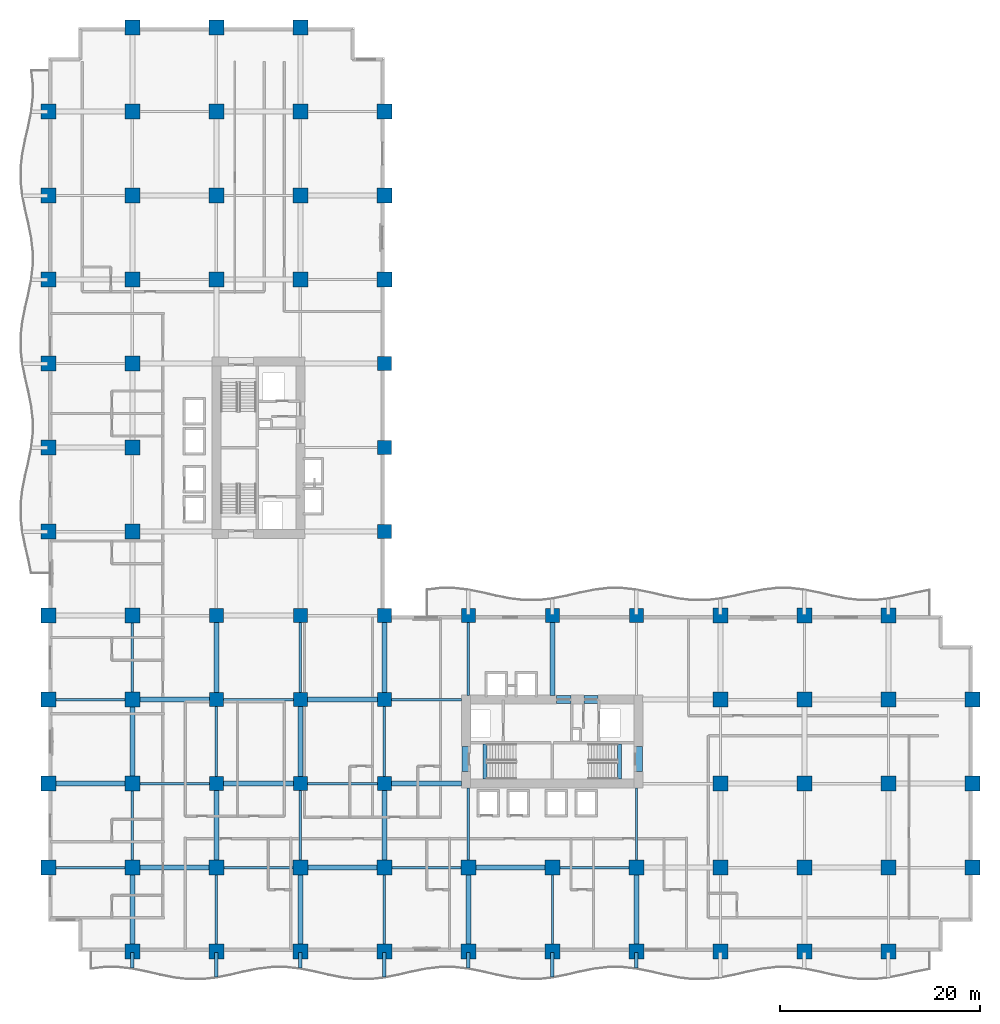
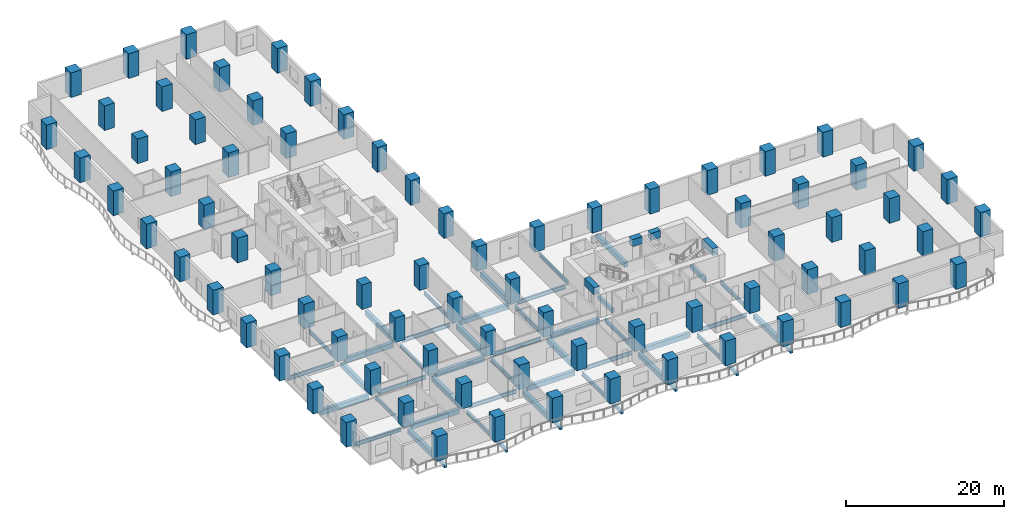
# One storey, part 1 of 20: 78 columns, 53 beams.
"""IFC4 building model written with IfcOpenShell, lengths in metres."""

import ifcopenshell
import ifcopenshell.guid

model = None  # the IFC model being written
_history = None  # IfcOwnerHistory: only IFC2X3 demands one
_inside = {}  # id of a spatial element -> (the spatial element, [elements in it])
_under = {}  # id of a project, library or spatial element -> (it, [spatial elements below it])
_declared = {}  # id of a project -> (the project, [libraries it declares])
_typed = {}  # id of a type object -> (the type object, [elements of that type])
_made_of = {}  # id of a material, layer set ... -> (it, [elements and type objects made of it])


def new_model(schema):
    """Start an empty IFC model of exactly this schema.

    Asked for "IFC4X3", IfcOpenShell would pick the latest addendum, in which some entities
    have other attributes; the version numbers below select the first issue.
    IFC2X3 requires an IfcOwnerHistory on every rooted entity: one is made here for all.
    """
    global model, _history
    if schema == "IFC4X3":
        model = ifcopenshell.file(schema_version=(4, 3, 0, 0))
    else:
        model = ifcopenshell.file(schema=schema)
    _inside.clear()
    _under.clear()
    _declared.clear()
    _typed.clear()
    _made_of.clear()
    _history = None
    if model.schema == "IFC2X3":
        org = make("IfcOrganization", Name="unknown")
        user = make(
            "IfcPersonAndOrganization",
            ThePerson=make("IfcPerson", FamilyName="unknown"),
            TheOrganization=org,
        )
        app = make(
            "IfcApplication",
            ApplicationDeveloper=org,
            Version="unknown",
            ApplicationFullName="unknown",
            ApplicationIdentifier="unknown",
        )
        _history = make(
            "IfcOwnerHistory",
            OwningUser=user,
            OwningApplication=app,
            ChangeAction="ADDED",
            CreationDate=0,
        )
    return model


def make(cls, **values):
    """One entity of the class cls with the attributes given. An attribute that is None is left unset."""
    return model.create_entity(
        cls, **{name: value for name, value in values.items() if value is not None}
    )


def rooted(cls, **values):
    """An entity with a GlobalId (a new one), such as an element, a storey or a relation."""
    return make(cls, GlobalId=ifcopenshell.guid.new(), OwnerHistory=_history, **values)


def si_unit(unit_type, name, prefix=None):
    """IfcSIUnit, for example si_unit("LENGTHUNIT", "METRE", prefix="MILLI")."""
    return make("IfcSIUnit", UnitType=unit_type, Prefix=prefix, Name=name)


def assignment(units):
    """IfcUnitAssignment: the units of a project."""
    return None if units is None else make("IfcUnitAssignment", Units=units)


def point(xyz):
    """IfcCartesianPoint."""
    return None if xyz is None else make("IfcCartesianPoint", Coordinates=xyz)


def direction(xyz):
    """IfcDirection."""
    return None if xyz is None else make("IfcDirection", DirectionRatios=xyz)


def frame(location, z_axis=None, x_axis=None):
    """IfcAxis2Placement3D, a coordinate frame: its origin and axes. An axis left out is left unset."""
    return make(
        "IfcAxis2Placement3D",
        Location=point(location),
        Axis=direction(z_axis),
        RefDirection=direction(x_axis),
    )


def frame_2d(location, x_axis=None):
    """IfcAxis2Placement2D, a coordinate frame in the plane: its origin and x axis."""
    return make(
        "IfcAxis2Placement2D", Location=point(location), RefDirection=direction(x_axis)
    )


def origin():
    """The frame at (0, 0, 0) with its axes left unset."""
    return frame((0.0, 0.0, 0.0))


def origin_2d():
    """The frame at (0, 0) in the plane with its x axis left unset."""
    return frame_2d((0.0, 0.0))


def place(relative_to, where):
    """IfcLocalPlacement: puts the frame where relative to a parent placement (None: the world)."""
    return make(
        "IfcLocalPlacement", PlacementRelTo=relative_to, RelativePlacement=where
    )


def context(
    kind, dimensions, precision=None, world=None, true_north=None, identifier=None
):
    """IfcGeometricRepresentationContext, for example the 3D "Model" context."""
    return make(
        "IfcGeometricRepresentationContext",
        ContextIdentifier=identifier,
        ContextType=kind,
        CoordinateSpaceDimension=dimensions,
        Precision=precision,
        WorldCoordinateSystem=world,
        TrueNorth=true_north,
    )


def subcontext(parent, identifier, kind, view, scale=None):
    """IfcGeometricRepresentationSubContext, for example "Body" below "Model"."""
    return make(
        "IfcGeometricRepresentationSubContext",
        ContextIdentifier=identifier,
        ContextType=kind,
        ParentContext=parent,
        TargetScale=scale,
        TargetView=view,
    )


def project(units=None, contexts=None):
    """IfcProject with its units and contexts."""
    return rooted(
        "IfcProject",
        Name="project",
        RepresentationContexts=contexts,
        UnitsInContext=assignment(units),
    )


def spatial(cls, under=None, at=None, **own):
    """A site, building, storey or space (cls), placed at a placement, below another one or the project."""
    s = rooted(cls, ObjectPlacement=at, **own)
    if under is not None:
        _under.setdefault(under.id(), (under, []))[1].append(s)
    return s


def profile(cls, at=None, kind="AREA", **sizes):
    """A parametric profile (cls). Its sizes go by their IFC names, for example OverallWidth=200.0."""
    return make(cls, ProfileType=kind, Position=at, **sizes)


def rectangle(**sizes):
    """IfcRectangleProfileDef."""
    return profile("IfcRectangleProfileDef", **sizes)


def i_section(**sizes):
    """IfcIShapeProfileDef."""
    return profile("IfcIShapeProfileDef", **sizes)


def extrude(swept, where, along, depth):
    """IfcExtrudedAreaSolid: the profile swept, set in the frame where, extruded along a direction by depth."""
    return make(
        "IfcExtrudedAreaSolid",
        SweptArea=swept,
        Position=where,
        ExtrudedDirection=direction(along),
        Depth=depth,
    )


def shape(context_of_items, identifier, shape_type, items):
    """IfcShapeRepresentation: the items that make up one representation, for example the "Body"."""
    return make(
        "IfcShapeRepresentation",
        ContextOfItems=context_of_items,
        RepresentationIdentifier=identifier,
        RepresentationType=shape_type,
        Items=items,
    )


def material(Name=None, Category=None):
    """IfcMaterial."""
    return make("IfcMaterial", Name=Name, Category=Category)


def material_profile(
    of_material, cross_section, Name=None, Category=None, Priority=None
):
    """IfcMaterialProfile: a cross section and its material."""
    return make(
        "IfcMaterialProfile",
        Name=Name,
        Material=of_material,
        Profile=cross_section,
        Priority=Priority,
        Category=Category,
    )


def profile_set(profiles, Name=None, composite=None):
    """IfcMaterialProfileSet."""
    return make(
        "IfcMaterialProfileSet",
        Name=Name,
        MaterialProfiles=profiles,
        CompositeProfile=composite,
    )


def made_of(thing, what):
    """Note that an element or type object is made of a material, layer set ...; save() writes the relation."""
    if what is not None:
        _made_of.setdefault(what.id(), (what, []))[1].append(thing)
    return thing


def type_object(cls, material=None, **own):
    """A type object (cls), such as IfcWallType, which elements share."""
    return made_of(rooted(cls, **own), material)


def element(
    cls,
    number,
    at=None,
    inside=None,
    cuts=None,
    type_object=None,
    material=None,
    context=None,
    identifier="Body",
    shape_type=None,
    held_by="IfcProductDefinitionShape",
    body=None,
    shapes=None,
    **own,
):
    """One element of the class cls, such as IfcWall. Its Tag is "e" and its number.

    at: its placement. inside: the storey or other place that contains it. cuts: it is an
    opening in that element (IfcRelVoidsElement). A single representation is given by context,
    identifier, shape_type and body (its items); several are given by shapes. held_by: the class
    of the entity that holds the representations. save() writes the other relations.
    """
    e = rooted(cls, Tag="e%d" % number, ObjectPlacement=at, **own)
    if body is not None:
        shapes = [shape(context, identifier, shape_type, body)]
    if shapes is not None:
        e.Representation = make(held_by, Representations=shapes)
    if inside is not None:
        _inside.setdefault(inside.id(), (inside, []))[1].append(e)
    if cuts is not None:
        rooted(
            "IfcRelVoidsElement", RelatingBuildingElement=cuts, RelatedOpeningElement=e
        )
    if type_object is not None:
        _typed.setdefault(type_object.id(), (type_object, []))[1].append(e)
    return made_of(e, material)


def aggregate(whole, parts):
    """IfcRelAggregates: a whole, such as a stair, and the parts it consists of."""
    return rooted("IfcRelAggregates", RelatingObject=whole, RelatedObjects=parts)


def save(model, path):
    """Write the relations noted so far, then the file.

    IfcRelAggregates (storeys below a building ...), IfcRelContainedInSpatialStructure (elements
    in a storey), IfcRelDefinesByType, IfcRelAssociatesMaterial and IfcRelDeclares: one each for
    every whole, place, type object, material and project.
    """
    for whole, parts in _under.values():
        aggregate(whole, parts)
    for where, things in _inside.values():
        rooted(
            "IfcRelContainedInSpatialStructure",
            RelatedElements=things,
            RelatingStructure=where,
        )
    for kind, things in _typed.values():
        rooted("IfcRelDefinesByType", RelatedObjects=things, RelatingType=kind)
    for what, things in _made_of.values():
        rooted("IfcRelAssociatesMaterial", RelatedObjects=things, RelatingMaterial=what)
    for by, libraries in _declared.values():
        rooted("IfcRelDeclares", RelatingContext=by, RelatedDefinitions=libraries)
    model.write(path)


model = new_model("IFC4")

# Units and contexts
model_context = context("Model", 3, precision=1e-05, world=origin(), true_north=direction((0.0, 1.0)))
body_context = subcontext(model_context, "Body", "Model", "MODEL_VIEW")
ifc_project = project(units=[si_unit("LENGTHUNIT", "METRE"), si_unit("AREAUNIT", "SQUARE_METRE"), si_unit("VOLUMEUNIT", "CUBIC_METRE"), si_unit("PLANEANGLEUNIT", "RADIAN"), si_unit("MASSUNIT", "GRAM", prefix="KILO")], contexts=[model_context])

# Site, building, storey
site_placement = place(None, origin())
site = spatial("IfcSite", under=ifc_project, at=site_placement, CompositionType="ELEMENT")
building_placement = place(site_placement, origin())
building = spatial("IfcBuilding", under=site, at=building_placement, Name="Koriwani Terraces Tower", CompositionType="ELEMENT")
storey_placement = place(building_placement, frame((0.0, 0.0, 66.199951171875)))
storey = spatial("IfcBuildingStorey", under=building, at=storey_placement, Name="L15", CompositionType="ELEMENT", Elevation=66.199951171875)

# Columns
ifc_material_1 = material(Name="Concrete C60/75", Category="concrete")
ifc_material_profile_1 = material_profile(ifc_material_1, rectangle(XDim=1.39990234375, YDim=1.39990234375, at=origin_2d()), Name="Concrete C60/75", Category="LoadBearing")
ifc_profile_set_1 = profile_set([ifc_material_profile_1], Name="Concrete C60/75")
column_type_1 = type_object("IfcColumnType", Name="COL_RC_1400X1400", PredefinedType="COLUMN", material=ifc_profile_set_1)
for number, where, z_axis, x_axis, name in (
    (1, (16.800048828125, 16.800048828125, 0.0), (0.0, 0.0, 1.0), (1.0, 0.0, 0.0), "L15 Column 3/C"),
    (2, (16.800048828125, 25.199951171875, 0.0), (0.0, 0.0, 1.0), (1.0, 0.0, 0.0), "L15 Column 3/D"),
    (3, (16.800048828125, 33.60009765625, 0.0), (0.0, 0.0, 1.0), (1.0, 0.0, 0.0), "L15 Column 3/E"),
    (4, (25.199951171875, 16.800048828125, 0.0), (0.0, 0.0, 1.0), (1.0, 0.0, 0.0), "L15 Column 4/C"),
    (5, (25.199951171875, 25.199951171875, 0.0), (0.0, 0.0, 1.0), (1.0, 0.0, 0.0), "L15 Column 4/D"),
    (6, (25.199951171875, 33.60009765625, 0.0), (0.0, 0.0, 1.0), (1.0, 0.0, 0.0), "L15 Column 4/E"),
    (7, (33.60009765625, 16.800048828125, 0.0), (0.0, 0.0, 1.0), (1.0, 0.0, 0.0), "L15 Column 5/C"),
    (8, (33.60009765625, 25.199951171875, 0.0), (0.0, 0.0, 1.0), (1.0, 0.0, 0.0), "L15 Column 5/D"),
    (9, (33.60009765625, 33.60009765625, 0.0), (0.0, 0.0, 1.0), (1.0, 0.0, 0.0), "L15 Column 5/E"),
    (10, (33.60009765625, 42.0, 0.0), (0.0, 0.0, 1.0), (1.0, 0.0, 0.0), "L15 Column 5/F"),
    (11, (33.60009765625, 50.39990234375, 0.0), (0.0, 0.0, 1.0), (1.0, 0.0, 0.0), "L15 Column 5/G"),
    (12, (33.60009765625, 58.800048828125, 0.0), (0.0, 0.0, 1.0), (1.0, 0.0, 0.0), "L15 Column 5/H"),
    (13, (42.0, 33.60009765625, 0.0), (0.0, 0.0, 1.0), (1.0, 0.0, 0.0), "L15 Column 6/E"),
    (14, (50.39990234375, 33.60009765625, 0.0), (0.0, 0.0, 1.0), (1.0, 0.0, 0.0), "L15 Column 7/E"),
    (15, (58.800048828125, 33.60009765625, 0.0), (0.0, 0.0, 1.0), (1.0, 0.0, 0.0), "L15 Column 8/E"),
):
    element("IfcColumn", number, at=place(storey_placement, frame(where, z_axis=z_axis, x_axis=x_axis)), inside=storey, type_object=column_type_1, Name=name, PredefinedType="COLUMN", context=body_context, shape_type="SweptSolid", body=[
        extrude(rectangle(XDim=1.39990234375, YDim=1.39990234375, at=origin_2d()), origin(), (0.0, 0.0, 1.0), 3.800048828125),
    ])
ifc_material_profile_2 = material_profile(ifc_material_1, rectangle(XDim=1.5, YDim=1.5, at=origin_2d()), Name="Concrete C60/75", Category="LoadBearing")
ifc_profile_set_2 = profile_set([ifc_material_profile_2], Name="Concrete C60/75")
column_type_2 = type_object("IfcColumnType", Name="COL_RC_1500X1500", PredefinedType="COLUMN", material=ifc_profile_set_2)
for number, where, z_axis, x_axis, name in (
    (16, (0.0, 8.39990234375, 0.0), (0.0, 0.0, 1.0), (1.0, 0.0, 0.0), "L15 Column 1/B"),
    (17, (0.0, 16.800048828125, 0.0), (0.0, 0.0, 1.0), (1.0, 0.0, 0.0), "L15 Column 1/C"),
    (18, (0.0, 25.199951171875, 0.0), (0.0, 0.0, 1.0), (1.0, 0.0, 0.0), "L15 Column 1/D"),
    (19, (0.0, 33.60009765625, 0.0), (0.0, 0.0, 1.0), (1.0, 0.0, 0.0), "L15 Column 1/E"),
    (20, (0.0, 42.0, 0.0), (0.0, 0.0, 1.0), (1.0, 0.0, 0.0), "L15 Column 1/F"),
    (21, (0.0, 50.39990234375, 0.0), (0.0, 0.0, 1.0), (1.0, 0.0, 0.0), "L15 Column 1/G"),
    (22, (0.0, 58.800048828125, 0.0), (0.0, 0.0, 1.0), (1.0, 0.0, 0.0), "L15 Column 1/H"),
    (23, (0.0, 67.199951171875, 0.0), (0.0, 0.0, 1.0), (1.0, 0.0, 0.0), "L15 Column 1/I"),
    (24, (0.0, 75.60009765625, 0.0), (0.0, 0.0, 1.0), (1.0, 0.0, 0.0), "L15 Column 1/J"),
    (25, (0.0, 84.0, 0.0), (0.0, 0.0, 1.0), (1.0, 0.0, 0.0), "L15 Column 1/K"),
    (26, (8.39990234375, 0.0, 0.0), (0.0, 0.0, 1.0), (1.0, 0.0, 0.0), "L15 Column 2/A"),
    (27, (8.39990234375, 8.39990234375, 0.0), (0.0, 0.0, 1.0), (1.0, 0.0, 0.0), "L15 Column 2/B"),
    (28, (8.39990234375, 16.800048828125, 0.0), (0.0, 0.0, 1.0), (1.0, 0.0, 0.0), "L15 Column 2/C"),
    (29, (8.39990234375, 25.199951171875, 0.0), (0.0, 0.0, 1.0), (1.0, 0.0, 0.0), "L15 Column 2/D"),
    (30, (8.39990234375, 33.60009765625, 0.0), (0.0, 0.0, 1.0), (1.0, 0.0, 0.0), "L15 Column 2/E"),
    (31, (8.39990234375, 42.0, 0.0), (0.0, 0.0, 1.0), (1.0, 0.0, 0.0), "L15 Column 2/F"),
    (32, (8.39990234375, 50.39990234375, 0.0), (0.0, 0.0, 1.0), (1.0, 0.0, 0.0), "L15 Column 2/G"),
    (33, (8.39990234375, 58.800048828125, 0.0), (0.0, 0.0, 1.0), (1.0, 0.0, 0.0), "L15 Column 2/H"),
    (34, (8.39990234375, 67.199951171875, 0.0), (0.0, 0.0, 1.0), (1.0, 0.0, 0.0), "L15 Column 2/I"),
    (35, (8.39990234375, 75.60009765625, 0.0), (0.0, 0.0, 1.0), (1.0, 0.0, 0.0), "L15 Column 2/J"),
    (36, (8.39990234375, 84.0, 0.0), (0.0, 0.0, 1.0), (1.0, 0.0, 0.0), "L15 Column 2/K"),
    (37, (8.39990234375, 92.39990234375, 0.0), (0.0, 0.0, 1.0), (1.0, 0.0, 0.0), "L15 Column 2/L"),
    (38, (16.800048828125, 0.0, 0.0), (0.0, 0.0, 1.0), (1.0, 0.0, 0.0), "L15 Column 3/A"),
    (39, (16.800048828125, 8.39990234375, 0.0), (0.0, 0.0, 1.0), (1.0, 0.0, 0.0), "L15 Column 3/B"),
    (40, (16.800048828125, 67.199951171875, 0.0), (0.0, 0.0, 1.0), (1.0, 0.0, 0.0), "L15 Column 3/I"),
    (41, (16.800048828125, 75.60009765625, 0.0), (0.0, 0.0, 1.0), (1.0, 0.0, 0.0), "L15 Column 3/J"),
    (42, (16.800048828125, 84.0, 0.0), (0.0, 0.0, 1.0), (1.0, 0.0, 0.0), "L15 Column 3/K"),
    (43, (16.800048828125, 92.39990234375, 0.0), (0.0, 0.0, 1.0), (1.0, 0.0, 0.0), "L15 Column 3/L"),
    (44, (25.199951171875, 0.0, 0.0), (0.0, 0.0, 1.0), (1.0, 0.0, 0.0), "L15 Column 4/A"),
    (45, (25.199951171875, 8.39990234375, 0.0), (0.0, 0.0, 1.0), (1.0, 0.0, 0.0), "L15 Column 4/B"),
    (46, (25.199951171875, 67.199951171875, 0.0), (0.0, 0.0, 1.0), (1.0, 0.0, 0.0), "L15 Column 4/I"),
    (47, (25.199951171875, 75.60009765625, 0.0), (0.0, 0.0, 1.0), (1.0, 0.0, 0.0), "L15 Column 4/J"),
    (48, (25.199951171875, 84.0, 0.0), (0.0, 0.0, 1.0), (1.0, 0.0, 0.0), "L15 Column 4/K"),
    (49, (25.199951171875, 92.39990234375, 0.0), (0.0, 0.0, 1.0), (1.0, 0.0, 0.0), "L15 Column 4/L"),
    (50, (33.60009765625, 0.0, 0.0), (0.0, 0.0, 1.0), (1.0, 0.0, 0.0), "L15 Column 5/A"),
    (51, (33.60009765625, 8.39990234375, 0.0), (0.0, 0.0, 1.0), (1.0, 0.0, 0.0), "L15 Column 5/B"),
    (52, (33.60009765625, 67.199951171875, 0.0), (0.0, 0.0, 1.0), (1.0, 0.0, 0.0), "L15 Column 5/I"),
    (53, (33.60009765625, 75.60009765625, 0.0), (0.0, 0.0, 1.0), (1.0, 0.0, 0.0), "L15 Column 5/J"),
    (54, (33.60009765625, 84.0, 0.0), (0.0, 0.0, 1.0), (1.0, 0.0, 0.0), "L15 Column 5/K"),
    (55, (42.0, 0.0, 0.0), (0.0, 0.0, 1.0), (1.0, 0.0, 0.0), "L15 Column 6/A"),
    (56, (42.0, 8.39990234375, 0.0), (0.0, 0.0, 1.0), (1.0, 0.0, 0.0), "L15 Column 6/B"),
    (57, (50.39990234375, 0.0, 0.0), (0.0, 0.0, 1.0), (1.0, 0.0, 0.0), "L15 Column 7/A"),
    (58, (50.39990234375, 8.39990234375, 0.0), (0.0, 0.0, 1.0), (1.0, 0.0, 0.0), "L15 Column 7/B"),
    (59, (58.800048828125, 0.0, 0.0), (0.0, 0.0, 1.0), (1.0, 0.0, 0.0), "L15 Column 8/A"),
    (60, (58.800048828125, 8.39990234375, 0.0), (0.0, 0.0, 1.0), (1.0, 0.0, 0.0), "L15 Column 8/B"),
    (61, (67.199951171875, 0.0, 0.0), (0.0, 0.0, 1.0), (1.0, 0.0, 0.0), "L15 Column 9/A"),
    (62, (67.199951171875, 8.39990234375, 0.0), (0.0, 0.0, 1.0), (1.0, 0.0, 0.0), "L15 Column 9/B"),
    (63, (67.199951171875, 16.800048828125, 0.0), (0.0, 0.0, 1.0), (1.0, 0.0, 0.0), "L15 Column 9/C"),
    (64, (67.199951171875, 25.199951171875, 0.0), (0.0, 0.0, 1.0), (1.0, 0.0, 0.0), "L15 Column 9/D"),
    (65, (67.199951171875, 33.60009765625, 0.0), (0.0, 0.0, 1.0), (1.0, 0.0, 0.0), "L15 Column 9/E"),
    (66, (75.60009765625, 0.0, 0.0), (0.0, 0.0, 1.0), (1.0, 0.0, 0.0), "L15 Column 10/A"),
    (67, (75.60009765625, 8.39990234375, 0.0), (0.0, 0.0, 1.0), (1.0, 0.0, 0.0), "L15 Column 10/B"),
    (68, (75.60009765625, 16.800048828125, 0.0), (0.0, 0.0, 1.0), (1.0, 0.0, 0.0), "L15 Column 10/C"),
    (69, (75.60009765625, 25.199951171875, 0.0), (0.0, 0.0, 1.0), (1.0, 0.0, 0.0), "L15 Column 10/D"),
    (70, (75.60009765625, 33.60009765625, 0.0), (0.0, 0.0, 1.0), (1.0, 0.0, 0.0), "L15 Column 10/E"),
    (71, (84.0, 0.0, 0.0), (0.0, 0.0, 1.0), (1.0, 0.0, 0.0), "L15 Column 11/A"),
    (72, (84.0, 8.39990234375, 0.0), (0.0, 0.0, 1.0), (1.0, 0.0, 0.0), "L15 Column 11/B"),
    (73, (84.0, 16.800048828125, 0.0), (0.0, 0.0, 1.0), (1.0, 0.0, 0.0), "L15 Column 11/C"),
    (74, (84.0, 25.199951171875, 0.0), (0.0, 0.0, 1.0), (1.0, 0.0, 0.0), "L15 Column 11/D"),
    (75, (84.0, 33.60009765625, 0.0), (0.0, 0.0, 1.0), (1.0, 0.0, 0.0), "L15 Column 11/E"),
    (76, (92.39990234375, 8.39990234375, 0.0), (0.0, 0.0, 1.0), (1.0, 0.0, 0.0), "L15 Column 12/B"),
    (77, (92.39990234375, 16.800048828125, 0.0), (0.0, 0.0, 1.0), (1.0, 0.0, 0.0), "L15 Column 12/C"),
    (78, (92.39990234375, 25.199951171875, 0.0), (0.0, 0.0, 1.0), (1.0, 0.0, 0.0), "L15 Column 12/D"),
):
    element("IfcColumn", number, at=place(storey_placement, frame(where, z_axis=z_axis, x_axis=x_axis)), inside=storey, type_object=column_type_2, Name=name, PredefinedType="COLUMN", context=body_context, shape_type="SweptSolid", body=[
        extrude(rectangle(XDim=1.5, YDim=1.5, at=origin_2d()), origin(), (0.0, 0.0, 1.0), 3.800048828125),
    ])

# Beams
ifc_material_2 = material(Name="Concrete C40/50", Category="concrete")
ifc_material_profile_3 = material_profile(ifc_material_2, rectangle(XDim=0.35009765625, YDim=0.449951171875, at=origin_2d()), Name="Concrete C40/50", Category="LoadBearing")
ifc_profile_set_3 = profile_set([ifc_material_profile_3], Name="Concrete C40/50")
beam_type_1 = type_object("IfcBeamType", Name="BEAM_RC_BALCONY_RIB_350X450", PredefinedType="JOIST", material=ifc_profile_set_3)
beam_1_placement = place(storey_placement, frame((8.39990234375, -1.633056640625, -0.474853515625), z_axis=(0.0, 1.0, 0.0), x_axis=(-1.0, 0.0, 0.0)))
element("IfcBeam", 79, at=beam_1_placement, inside=storey, type_object=beam_type_1, Name="L15 Balcony Bracket Rib S-1", PredefinedType="JOIST", context=body_context, shape_type="SweptSolid", body=[
    extrude(rectangle(XDim=0.35009765625, YDim=0.449951171875, at=origin_2d()), origin(), (0.0, 0.0, 1.0), 1.532958984375),
])
beam_2_placement = place(storey_placement, frame((16.800048828125, -2.516845703125, -0.474853515625), z_axis=(0.0, 1.0, 0.0), x_axis=(-1.0, 0.0, 0.0)))
element("IfcBeam", 80, at=beam_2_placement, inside=storey, type_object=beam_type_1, Name="L15 Balcony Bracket Rib S-2", PredefinedType="JOIST", context=body_context, shape_type="SweptSolid", body=[
    extrude(rectangle(XDim=0.35009765625, YDim=0.449951171875, at=origin_2d()), origin(), (0.0, 0.0, 1.0), 2.416748046875),
])
beam_3_placement = place(storey_placement, frame((25.199951171875, -1.633056640625, -0.474853515625), z_axis=(0.0, 1.0, 0.0), x_axis=(-1.0, 0.0, 0.0)))
element("IfcBeam", 81, at=beam_3_placement, inside=storey, type_object=beam_type_1, Name="L15 Balcony Bracket Rib S-3", PredefinedType="JOIST", context=body_context, shape_type="SweptSolid", body=[
    extrude(rectangle(XDim=0.35009765625, YDim=0.449951171875, at=origin_2d()), origin(), (0.0, 0.0, 1.0), 1.532958984375),
])
beam_4_placement = place(storey_placement, frame((33.60009765625, -2.516845703125, -0.474853515625), z_axis=(0.0, 1.0, 0.0), x_axis=(-1.0, 0.0, 0.0)))
element("IfcBeam", 82, at=beam_4_placement, inside=storey, type_object=beam_type_1, Name="L15 Balcony Bracket Rib S-4", PredefinedType="JOIST", context=body_context, shape_type="SweptSolid", body=[
    extrude(rectangle(XDim=0.35009765625, YDim=0.449951171875, at=origin_2d()), origin(), (0.0, 0.0, 1.0), 2.416748046875),
])
beam_5_placement = place(storey_placement, frame((42.0, -1.633056640625, -0.474853515625), z_axis=(0.0, 1.0, 0.0), x_axis=(-1.0, 0.0, 0.0)))
element("IfcBeam", 83, at=beam_5_placement, inside=storey, type_object=beam_type_1, Name="L15 Balcony Bracket Rib S-5", PredefinedType="JOIST", context=body_context, shape_type="SweptSolid", body=[
    extrude(rectangle(XDim=0.35009765625, YDim=0.449951171875, at=origin_2d()), origin(), (0.0, 0.0, 1.0), 1.532958984375),
])
beam_6_placement = place(storey_placement, frame((50.39990234375, -2.516845703125, -0.474853515625), z_axis=(0.0, 1.0, 0.0), x_axis=(-1.0, 0.0, 0.0)))
element("IfcBeam", 84, at=beam_6_placement, inside=storey, type_object=beam_type_1, Name="L15 Balcony Bracket Rib S-6", PredefinedType="JOIST", context=body_context, shape_type="SweptSolid", body=[
    extrude(rectangle(XDim=0.35009765625, YDim=0.449951171875, at=origin_2d()), origin(), (0.0, 0.0, 1.0), 2.416748046875),
])
beam_7_placement = place(storey_placement, frame((58.800048828125, -1.633056640625, -0.474853515625), z_axis=(0.0, 1.0, 0.0), x_axis=(-1.0, 0.0, 0.0)))
element("IfcBeam", 85, at=beam_7_placement, inside=storey, type_object=beam_type_1, Name="L15 Balcony Bracket Rib S-7", PredefinedType="JOIST", context=body_context, shape_type="SweptSolid", body=[
    extrude(rectangle(XDim=0.35009765625, YDim=0.449951171875, at=origin_2d()), origin(), (0.0, 0.0, 1.0), 1.532958984375),
])
ifc_material_profile_4 = material_profile(ifc_material_1, rectangle(XDim=0.800048828125, YDim=1.10009765625, at=origin_2d()), Name="Concrete C60/75", Category="LoadBearing")
ifc_profile_set_4 = profile_set([ifc_material_profile_4], Name="Concrete C60/75")
beam_type_2 = type_object("IfcBeamType", Name="BEAM_RC_COUPLING_800X1100", PredefinedType="LINTEL", material=ifc_profile_set_4)
beam_8_placement = place(storey_placement, frame((50.800048828125, 25.199951171875, 3.0), z_axis=(1.0, 0.0, 0.0), x_axis=(0.0, 1.0, 0.0)))
element("IfcBeam", 86, at=beam_8_placement, inside=storey, type_object=beam_type_2, Name="L15 Core Coupling Lintel Beam EN1", PredefinedType="LINTEL", context=body_context, shape_type="SweptSolid", body=[
    extrude(rectangle(XDim=0.800048828125, YDim=1.10009765625, at=origin_2d()), origin(), (0.0, 0.0, 1.0), 1.47998046875),
])
beam_9_placement = place(storey_placement, frame((53.550048828125, 25.199951171875, 3.0), z_axis=(1.0, 0.0, 0.0), x_axis=(0.0, 1.0, 0.0)))
element("IfcBeam", 87, at=beam_9_placement, inside=storey, type_object=beam_type_2, Name="L15 Core Coupling Lintel Beam EN2", PredefinedType="LINTEL", context=body_context, shape_type="SweptSolid", body=[
    extrude(rectangle(XDim=0.800048828125, YDim=1.10009765625, at=origin_2d()), origin(), (0.0, 0.0, 1.0), 1.39990234375),
])
for number, where, z_axis, x_axis, name in (
    (88, (41.75, 18.0, 3.0), (0.0, 1.0, 0.0), (-1.0, 0.0, 0.0), "L15 Core Coupling Lintel Beam EW"),
    (89, (59.0, 18.0, 3.0), (0.0, 1.0, 0.0), (-1.0, 0.0, 0.0), "L15 Core Coupling Lintel Beam EE"),
):
    element("IfcBeam", number, at=place(storey_placement, frame(where, z_axis=z_axis, x_axis=x_axis)), inside=storey, type_object=beam_type_2, Name=name, PredefinedType="LINTEL", context=body_context, shape_type="SweptSolid", body=[
        extrude(rectangle(XDim=0.800048828125, YDim=1.10009765625, at=origin_2d()), origin(), (0.0, 0.0, 1.0), 2.5),
    ])
ifc_material_profile_5 = material_profile(ifc_material_2, rectangle(XDim=0.39990234375, YDim=0.60009765625, at=origin_2d()), Name="Concrete C40/50", Category="LoadBearing")
ifc_profile_set_5 = profile_set([ifc_material_profile_5], Name="Concrete C40/50")
beam_type_3 = type_object("IfcBeamType", Name="BEAM_RC_GRID_400X600", PredefinedType="BEAM", material=ifc_profile_set_5)
for number, where, z_axis, x_axis, name in (
    (90, (43.655029296875, 17.25, -0.300048828125), (0.0, 1.0, 0.0), (-1.0, 0.0, 0.0), "L15 Stairwell Header Trimmer Beam ST-E1"),
    (91, (57.094970703125, 17.25, -0.300048828125), (0.0, 1.0, 0.0), (-1.0, 0.0, 0.0), "L15 Stairwell Header Trimmer Beam ST-E2"),
):
    element("IfcBeam", number, at=place(storey_placement, frame(where, z_axis=z_axis, x_axis=x_axis)), inside=storey, type_object=beam_type_3, Name=name, PredefinedType="BEAM", context=body_context, shape_type="SweptSolid", body=[
        extrude(rectangle(XDim=0.39990234375, YDim=0.60009765625, at=origin_2d()), origin(), (0.0, 0.0, 1.0), 3.5),
    ])
ifc_material_3 = material(Name="Concrete C50/60", Category="concrete")
ifc_material_profile_6 = material_profile(ifc_material_3, rectangle(XDim=0.5, YDim=0.75, at=origin_2d()), Name="Concrete C50/60", Category="LoadBearing")
ifc_profile_set_6 = profile_set([ifc_material_profile_6], Name="Concrete C50/60")
beam_type_4 = type_object("IfcBeamType", Name="BEAM_RC_GRID_500X750", PredefinedType="BEAM", material=ifc_profile_set_6)
for number, where, z_axis, x_axis, name in (
    (92, (9.1298828125, 8.39990234375, -0.625), (1.0, 0.0, 0.0), (0.0, 1.0, 0.0), "L15 Grid Beam B (8.4-16.8m)"),
    (93, (25.929931640625, 8.39990234375, -0.625), (1.0, 0.0, 0.0), (0.0, 1.0, 0.0), "L15 Grid Beam B (25.2-33.6m)"),
):
    element("IfcBeam", number, at=place(storey_placement, frame(where, z_axis=z_axis, x_axis=x_axis)), inside=storey, type_object=beam_type_4, Name=name, PredefinedType="BEAM", context=body_context, shape_type="SweptSolid", body=[
        extrude(rectangle(XDim=0.5, YDim=0.75, at=origin_2d()), origin(), (0.0, 0.0, 1.0), 6.940185546875),
    ])
for number, where, z_axis, x_axis, name in (
    (94, (42.72998046875, 8.39990234375, -0.625), (1.0, 0.0, 0.0), (0.0, 1.0, 0.0), "L15 Grid Beam B (42.0-50.4m)"),
    (95, (0.72998046875, 16.800048828125, -0.625), (1.0, 0.0, 0.0), (0.0, 1.0, 0.0), "L15 Grid Beam C (0.0-8.4m)"),
):
    element("IfcBeam", number, at=place(storey_placement, frame(where, z_axis=z_axis, x_axis=x_axis)), inside=storey, type_object=beam_type_4, Name=name, PredefinedType="BEAM", context=body_context, shape_type="SweptSolid", body=[
        extrude(rectangle(XDim=0.5, YDim=0.75, at=origin_2d()), origin(), (0.0, 0.0, 1.0), 6.93994140625),
    ])
for number, where, z_axis, x_axis, name in (
    (96, (17.47998046875, 16.800048828125, -0.625), (1.0, 0.0, 0.0), (0.0, 1.0, 0.0), "L15 Grid Beam C (16.8-25.2m)"),
    (97, (34.280029296875, 16.800048828125, -0.625), (1.0, 0.0, 0.0), (0.0, 1.0, 0.0), "L15 Grid Beam C (33.6-42.0m)"),
):
    element("IfcBeam", number, at=place(storey_placement, frame(where, z_axis=z_axis, x_axis=x_axis)), inside=storey, type_object=beam_type_4, Name=name, PredefinedType="BEAM", context=body_context, shape_type="SweptSolid", body=[
        extrude(rectangle(XDim=0.5, YDim=0.75, at=origin_2d()), origin(), (0.0, 0.0, 1.0), 7.0400390625),
    ])
beam_10_placement = place(storey_placement, frame((9.1298828125, 25.199951171875, -0.625), z_axis=(1.0, 0.0, 0.0), x_axis=(0.0, 1.0, 0.0)))
element("IfcBeam", 98, at=beam_10_placement, inside=storey, type_object=beam_type_4, Name="L15 Grid Beam D (8.4-16.8m)", PredefinedType="BEAM", context=body_context, shape_type="SweptSolid", body=[
    extrude(rectangle(XDim=0.5, YDim=0.75, at=origin_2d()), origin(), (0.0, 0.0, 1.0), 6.990234375),
])
beam_11_placement = place(storey_placement, frame((25.8798828125, 25.199951171875, -0.625), z_axis=(1.0, 0.0, 0.0), x_axis=(0.0, 1.0, 0.0)))
element("IfcBeam", 99, at=beam_11_placement, inside=storey, type_object=beam_type_4, Name="L15 Grid Beam D (25.2-33.6m)", PredefinedType="BEAM", context=body_context, shape_type="SweptSolid", body=[
    extrude(rectangle(XDim=0.5, YDim=0.75, at=origin_2d()), origin(), (0.0, 0.0, 1.0), 7.0400390625),
])
for number, where, z_axis, x_axis, name in (
    (100, (8.39990234375, 0.72998046875, -0.625), (0.0, 1.0, 0.0), (-1.0, 0.0, 0.0), "L15 Grid Beam 2 (0.0-8.4m)"),
    (101, (8.39990234375, 17.530029296875, -0.625), (0.0, 1.0, 0.0), (-1.0, 0.0, 0.0), "L15 Grid Beam 2 (16.8-25.2m)"),
):
    element("IfcBeam", number, at=place(storey_placement, frame(where, z_axis=z_axis, x_axis=x_axis)), inside=storey, type_object=beam_type_4, Name=name, PredefinedType="BEAM", context=body_context, shape_type="SweptSolid", body=[
        extrude(rectangle(XDim=0.5, YDim=0.75, at=origin_2d()), origin(), (0.0, 0.0, 1.0), 6.93994140625),
    ])
beam_12_placement = place(storey_placement, frame((16.800048828125, 9.1298828125, -0.625), z_axis=(0.0, 1.0, 0.0), x_axis=(-1.0, 0.0, 0.0)))
element("IfcBeam", 102, at=beam_12_placement, inside=storey, type_object=beam_type_4, Name="L15 Grid Beam 3 (8.4-16.8m)", PredefinedType="BEAM", context=body_context, shape_type="SweptSolid", body=[
    extrude(rectangle(XDim=0.5, YDim=0.75, at=origin_2d()), origin(), (0.0, 0.0, 1.0), 6.990234375),
])
beam_13_placement = place(storey_placement, frame((16.800048828125, 25.8798828125, -0.625), z_axis=(0.0, 1.0, 0.0), x_axis=(-1.0, 0.0, 0.0)))
element("IfcBeam", 103, at=beam_13_placement, inside=storey, type_object=beam_type_4, Name="L15 Grid Beam 3 (25.2-33.6m)", PredefinedType="BEAM", context=body_context, shape_type="SweptSolid", body=[
    extrude(rectangle(XDim=0.5, YDim=0.75, at=origin_2d()), origin(), (0.0, 0.0, 1.0), 7.0400390625),
])
beam_14_placement = place(storey_placement, frame((25.199951171875, 0.72998046875, -0.625), z_axis=(0.0, 1.0, 0.0), x_axis=(-1.0, 0.0, 0.0)))
element("IfcBeam", 104, at=beam_14_placement, inside=storey, type_object=beam_type_4, Name="L15 Grid Beam 4 (0.0-8.4m)", PredefinedType="BEAM", context=body_context, shape_type="SweptSolid", body=[
    extrude(rectangle(XDim=0.5, YDim=0.75, at=origin_2d()), origin(), (0.0, 0.0, 1.0), 6.93994140625),
])
beam_15_placement = place(storey_placement, frame((25.199951171875, 17.47998046875, -0.625), z_axis=(0.0, 1.0, 0.0), x_axis=(-1.0, 0.0, 0.0)))
element("IfcBeam", 105, at=beam_15_placement, inside=storey, type_object=beam_type_4, Name="L15 Grid Beam 4 (16.8-25.2m)", PredefinedType="BEAM", context=body_context, shape_type="SweptSolid", body=[
    extrude(rectangle(XDim=0.5, YDim=0.75, at=origin_2d()), origin(), (0.0, 0.0, 1.0), 7.0400390625),
])
beam_16_placement = place(storey_placement, frame((33.60009765625, 9.1298828125, -0.625), z_axis=(0.0, 1.0, 0.0), x_axis=(-1.0, 0.0, 0.0)))
element("IfcBeam", 106, at=beam_16_placement, inside=storey, type_object=beam_type_4, Name="L15 Grid Beam 5 (8.4-16.8m)", PredefinedType="BEAM", context=body_context, shape_type="SweptSolid", body=[
    extrude(rectangle(XDim=0.5, YDim=0.75, at=origin_2d()), origin(), (0.0, 0.0, 1.0), 6.990234375),
])
beam_17_placement = place(storey_placement, frame((33.60009765625, 25.8798828125, -0.625), z_axis=(0.0, 1.0, 0.0), x_axis=(-1.0, 0.0, 0.0)))
element("IfcBeam", 107, at=beam_17_placement, inside=storey, type_object=beam_type_4, Name="L15 Grid Beam 5 (25.2-33.6m)", PredefinedType="BEAM", context=body_context, shape_type="SweptSolid", body=[
    extrude(rectangle(XDim=0.5, YDim=0.75, at=origin_2d()), origin(), (0.0, 0.0, 1.0), 7.0400390625),
])
beam_18_placement = place(storey_placement, frame((42.0, 0.72998046875, -0.625), z_axis=(0.0, 1.0, 0.0), x_axis=(-1.0, 0.0, 0.0)))
element("IfcBeam", 108, at=beam_18_placement, inside=storey, type_object=beam_type_4, Name="L15 Grid Beam 6 (0.0-8.4m)", PredefinedType="BEAM", context=body_context, shape_type="SweptSolid", body=[
    extrude(rectangle(XDim=0.5, YDim=0.75, at=origin_2d()), origin(), (0.0, 0.0, 1.0), 6.93994140625),
])
beam_19_placement = place(storey_placement, frame((50.39990234375, 25.6298828125, -0.625), z_axis=(0.0, 1.0, 0.0), x_axis=(-1.0, 0.0, 0.0)))
element("IfcBeam", 109, at=beam_19_placement, inside=storey, type_object=beam_type_4, Name="L15 Grid Beam 7 (25.2-33.6m)", PredefinedType="BEAM", context=body_context, shape_type="SweptSolid", body=[
    extrude(rectangle(XDim=0.5, YDim=0.75, at=origin_2d()), origin(), (0.0, 0.0, 1.0), 7.2900390625),
])
beam_20_placement = place(storey_placement, frame((58.800048828125, 0.72998046875, -0.625), z_axis=(0.0, 1.0, 0.0), x_axis=(-1.0, 0.0, 0.0)))
element("IfcBeam", 110, at=beam_20_placement, inside=storey, type_object=beam_type_4, Name="L15 Grid Beam 8 (0.0-8.4m)", PredefinedType="BEAM", context=body_context, shape_type="SweptSolid", body=[
    extrude(rectangle(XDim=0.5, YDim=0.75, at=origin_2d()), origin(), (0.0, 0.0, 1.0), 6.93994140625),
])
ifc_material_4 = material(Name="Steel ASTM A572 Grade 50", Category="steel")
ifc_material_profile_7 = material_profile(ifc_material_4, i_section(OverallWidth=0.22900390625, OverallDepth=0.611083984375, WebThickness=0.0126953125, FlangeThickness=0.022216796875, at=origin_2d()), Name="Steel ASTM A572 Grade 50", Category="LoadBearing")
ifc_profile_set_7 = profile_set([ifc_material_profile_7], Name="Steel ASTM A572 Grade 50")
beam_type_5 = type_object("IfcBeamType", Name="STEEL_BEAM_W610X155", PredefinedType="BEAM", material=ifc_profile_set_7)
for number, where, z_axis, x_axis, name in (
    (111, (0.72998046875, 8.39990234375, -0.555419921875), (1.0, 0.0, 0.0), (0.0, 1.0, 0.0), "L15 Grid Beam B (0.0-8.4m)"),
    (112, (17.530029296875, 8.39990234375, -0.555419921875), (1.0, 0.0, 0.0), (0.0, 1.0, 0.0), "L15 Grid Beam B (16.8-25.2m)"),
    (113, (34.330078125, 8.39990234375, -0.555419921875), (1.0, 0.0, 0.0), (0.0, 1.0, 0.0), "L15 Grid Beam B (33.6-42.0m)"),
):
    element("IfcBeam", number, at=place(storey_placement, frame(where, z_axis=z_axis, x_axis=x_axis)), inside=storey, type_object=beam_type_5, Name=name, PredefinedType="BEAM", context=body_context, shape_type="SweptSolid", body=[
        extrude(i_section(OverallWidth=0.22900390625, OverallDepth=0.611083984375, WebThickness=0.0126953125, FlangeThickness=0.022216796875, at=origin_2d()), origin(), (0.0, 0.0, 1.0), 6.93994140625),
    ])
beam_21_placement = place(storey_placement, frame((51.1298828125, 8.39990234375, -0.555419921875), z_axis=(1.0, 0.0, 0.0), x_axis=(0.0, 1.0, 0.0)))
element("IfcBeam", 114, at=beam_21_placement, inside=storey, type_object=beam_type_5, Name="L15 Grid Beam B (50.4-58.8m)", PredefinedType="BEAM", context=body_context, shape_type="SweptSolid", body=[
    extrude(i_section(OverallWidth=0.22900390625, OverallDepth=0.611083984375, WebThickness=0.0126953125, FlangeThickness=0.022216796875, at=origin_2d()), origin(), (0.0, 0.0, 1.0), 6.940185546875),
])
beam_22_placement = place(storey_placement, frame((9.1298828125, 16.800048828125, -0.555419921875), z_axis=(1.0, 0.0, 0.0), x_axis=(0.0, 1.0, 0.0)))
element("IfcBeam", 115, at=beam_22_placement, inside=storey, type_object=beam_type_5, Name="L15 Grid Beam C (8.4-16.8m)", PredefinedType="BEAM", context=body_context, shape_type="SweptSolid", body=[
    extrude(i_section(OverallWidth=0.22900390625, OverallDepth=0.611083984375, WebThickness=0.0126953125, FlangeThickness=0.022216796875, at=origin_2d()), origin(), (0.0, 0.0, 1.0), 6.990234375),
])
beam_23_placement = place(storey_placement, frame((25.8798828125, 16.800048828125, -0.555419921875), z_axis=(1.0, 0.0, 0.0), x_axis=(0.0, 1.0, 0.0)))
element("IfcBeam", 116, at=beam_23_placement, inside=storey, type_object=beam_type_5, Name="L15 Grid Beam C (25.2-33.6m)", PredefinedType="BEAM", context=body_context, shape_type="SweptSolid", body=[
    extrude(i_section(OverallWidth=0.22900390625, OverallDepth=0.611083984375, WebThickness=0.0126953125, FlangeThickness=0.022216796875, at=origin_2d()), origin(), (0.0, 0.0, 1.0), 7.0400390625),
])
beam_24_placement = place(storey_placement, frame((0.72998046875, 25.199951171875, -0.555419921875), z_axis=(1.0, 0.0, 0.0), x_axis=(0.0, 1.0, 0.0)))
element("IfcBeam", 117, at=beam_24_placement, inside=storey, type_object=beam_type_5, Name="L15 Grid Beam D (0.0-8.4m)", PredefinedType="BEAM", context=body_context, shape_type="SweptSolid", body=[
    extrude(i_section(OverallWidth=0.22900390625, OverallDepth=0.611083984375, WebThickness=0.0126953125, FlangeThickness=0.022216796875, at=origin_2d()), origin(), (0.0, 0.0, 1.0), 6.93994140625),
])
for number, where, z_axis, x_axis, name in (
    (118, (17.47998046875, 25.199951171875, -0.555419921875), (1.0, 0.0, 0.0), (0.0, 1.0, 0.0), "L15 Grid Beam D (16.8-25.2m)"),
    (119, (34.280029296875, 25.199951171875, -0.555419921875), (1.0, 0.0, 0.0), (0.0, 1.0, 0.0), "L15 Grid Beam D (33.6-42.0m)"),
):
    element("IfcBeam", number, at=place(storey_placement, frame(where, z_axis=z_axis, x_axis=x_axis)), inside=storey, type_object=beam_type_5, Name=name, PredefinedType="BEAM", context=body_context, shape_type="SweptSolid", body=[
        extrude(i_section(OverallWidth=0.22900390625, OverallDepth=0.611083984375, WebThickness=0.0126953125, FlangeThickness=0.022216796875, at=origin_2d()), origin(), (0.0, 0.0, 1.0), 7.0400390625),
    ])
for number, where, z_axis, x_axis, name in (
    (120, (8.39990234375, 9.1298828125, -0.555419921875), (0.0, 1.0, 0.0), (-1.0, 0.0, 0.0), "L15 Grid Beam 2 (8.4-16.8m)"),
    (121, (8.39990234375, 25.929931640625, -0.555419921875), (0.0, 1.0, 0.0), (-1.0, 0.0, 0.0), "L15 Grid Beam 2 (25.2-33.6m)"),
):
    element("IfcBeam", number, at=place(storey_placement, frame(where, z_axis=z_axis, x_axis=x_axis)), inside=storey, type_object=beam_type_5, Name=name, PredefinedType="BEAM", context=body_context, shape_type="SweptSolid", body=[
        extrude(i_section(OverallWidth=0.22900390625, OverallDepth=0.611083984375, WebThickness=0.0126953125, FlangeThickness=0.022216796875, at=origin_2d()), origin(), (0.0, 0.0, 1.0), 6.940185546875),
    ])
beam_25_placement = place(storey_placement, frame((16.800048828125, 0.72998046875, -0.555419921875), z_axis=(0.0, 1.0, 0.0), x_axis=(-1.0, 0.0, 0.0)))
element("IfcBeam", 122, at=beam_25_placement, inside=storey, type_object=beam_type_5, Name="L15 Grid Beam 3 (0.0-8.4m)", PredefinedType="BEAM", context=body_context, shape_type="SweptSolid", body=[
    extrude(i_section(OverallWidth=0.22900390625, OverallDepth=0.611083984375, WebThickness=0.0126953125, FlangeThickness=0.022216796875, at=origin_2d()), origin(), (0.0, 0.0, 1.0), 6.93994140625),
])
beam_26_placement = place(storey_placement, frame((16.800048828125, 17.47998046875, -0.555419921875), z_axis=(0.0, 1.0, 0.0), x_axis=(-1.0, 0.0, 0.0)))
element("IfcBeam", 123, at=beam_26_placement, inside=storey, type_object=beam_type_5, Name="L15 Grid Beam 3 (16.8-25.2m)", PredefinedType="BEAM", context=body_context, shape_type="SweptSolid", body=[
    extrude(i_section(OverallWidth=0.22900390625, OverallDepth=0.611083984375, WebThickness=0.0126953125, FlangeThickness=0.022216796875, at=origin_2d()), origin(), (0.0, 0.0, 1.0), 7.0400390625),
])
beam_27_placement = place(storey_placement, frame((25.199951171875, 9.1298828125, -0.555419921875), z_axis=(0.0, 1.0, 0.0), x_axis=(-1.0, 0.0, 0.0)))
element("IfcBeam", 124, at=beam_27_placement, inside=storey, type_object=beam_type_5, Name="L15 Grid Beam 4 (8.4-16.8m)", PredefinedType="BEAM", context=body_context, shape_type="SweptSolid", body=[
    extrude(i_section(OverallWidth=0.22900390625, OverallDepth=0.611083984375, WebThickness=0.0126953125, FlangeThickness=0.022216796875, at=origin_2d()), origin(), (0.0, 0.0, 1.0), 6.990234375),
])
beam_28_placement = place(storey_placement, frame((25.199951171875, 25.8798828125, -0.555419921875), z_axis=(0.0, 1.0, 0.0), x_axis=(-1.0, 0.0, 0.0)))
element("IfcBeam", 125, at=beam_28_placement, inside=storey, type_object=beam_type_5, Name="L15 Grid Beam 4 (25.2-33.6m)", PredefinedType="BEAM", context=body_context, shape_type="SweptSolid", body=[
    extrude(i_section(OverallWidth=0.22900390625, OverallDepth=0.611083984375, WebThickness=0.0126953125, FlangeThickness=0.022216796875, at=origin_2d()), origin(), (0.0, 0.0, 1.0), 7.0400390625),
])
beam_29_placement = place(storey_placement, frame((33.60009765625, 0.72998046875, -0.555419921875), z_axis=(0.0, 1.0, 0.0), x_axis=(-1.0, 0.0, 0.0)))
element("IfcBeam", 126, at=beam_29_placement, inside=storey, type_object=beam_type_5, Name="L15 Grid Beam 5 (0.0-8.4m)", PredefinedType="BEAM", context=body_context, shape_type="SweptSolid", body=[
    extrude(i_section(OverallWidth=0.22900390625, OverallDepth=0.611083984375, WebThickness=0.0126953125, FlangeThickness=0.022216796875, at=origin_2d()), origin(), (0.0, 0.0, 1.0), 6.93994140625),
])
beam_30_placement = place(storey_placement, frame((33.60009765625, 17.47998046875, -0.555419921875), z_axis=(0.0, 1.0, 0.0), x_axis=(-1.0, 0.0, 0.0)))
element("IfcBeam", 127, at=beam_30_placement, inside=storey, type_object=beam_type_5, Name="L15 Grid Beam 5 (16.8-25.2m)", PredefinedType="BEAM", context=body_context, shape_type="SweptSolid", body=[
    extrude(i_section(OverallWidth=0.22900390625, OverallDepth=0.611083984375, WebThickness=0.0126953125, FlangeThickness=0.022216796875, at=origin_2d()), origin(), (0.0, 0.0, 1.0), 7.0400390625),
])
beam_31_placement = place(storey_placement, frame((42.0, 9.1298828125, -0.555419921875), z_axis=(0.0, 1.0, 0.0), x_axis=(-1.0, 0.0, 0.0)))
element("IfcBeam", 128, at=beam_31_placement, inside=storey, type_object=beam_type_5, Name="L15 Grid Beam 6 (8.4-16.8m)", PredefinedType="BEAM", context=body_context, shape_type="SweptSolid", body=[
    extrude(i_section(OverallWidth=0.22900390625, OverallDepth=0.611083984375, WebThickness=0.0126953125, FlangeThickness=0.022216796875, at=origin_2d()), origin(), (0.0, 0.0, 1.0), 7.240234375),
])
beam_32_placement = place(storey_placement, frame((42.0, 25.6298828125, -0.555419921875), z_axis=(0.0, 1.0, 0.0), x_axis=(-1.0, 0.0, 0.0)))
element("IfcBeam", 129, at=beam_32_placement, inside=storey, type_object=beam_type_5, Name="L15 Grid Beam 6 (25.2-33.6m)", PredefinedType="BEAM", context=body_context, shape_type="SweptSolid", body=[
    extrude(i_section(OverallWidth=0.22900390625, OverallDepth=0.611083984375, WebThickness=0.0126953125, FlangeThickness=0.022216796875, at=origin_2d()), origin(), (0.0, 0.0, 1.0), 7.2900390625),
])
beam_33_placement = place(storey_placement, frame((50.39990234375, 0.72998046875, -0.555419921875), z_axis=(0.0, 1.0, 0.0), x_axis=(-1.0, 0.0, 0.0)))
element("IfcBeam", 130, at=beam_33_placement, inside=storey, type_object=beam_type_5, Name="L15 Grid Beam 7 (0.0-8.4m)", PredefinedType="BEAM", context=body_context, shape_type="SweptSolid", body=[
    extrude(i_section(OverallWidth=0.22900390625, OverallDepth=0.611083984375, WebThickness=0.0126953125, FlangeThickness=0.022216796875, at=origin_2d()), origin(), (0.0, 0.0, 1.0), 6.93994140625),
])
beam_34_placement = place(storey_placement, frame((58.800048828125, 9.1298828125, -0.555419921875), z_axis=(0.0, 1.0, 0.0), x_axis=(-1.0, 0.0, 0.0)))
element("IfcBeam", 131, at=beam_34_placement, inside=storey, type_object=beam_type_5, Name="L15 Grid Beam 8 (8.4-16.8m)", PredefinedType="BEAM", context=body_context, shape_type="SweptSolid", body=[
    extrude(i_section(OverallWidth=0.22900390625, OverallDepth=0.611083984375, WebThickness=0.0126953125, FlangeThickness=0.022216796875, at=origin_2d()), origin(), (0.0, 0.0, 1.0), 7.240234375),
])

save(model, "model.ifc")
